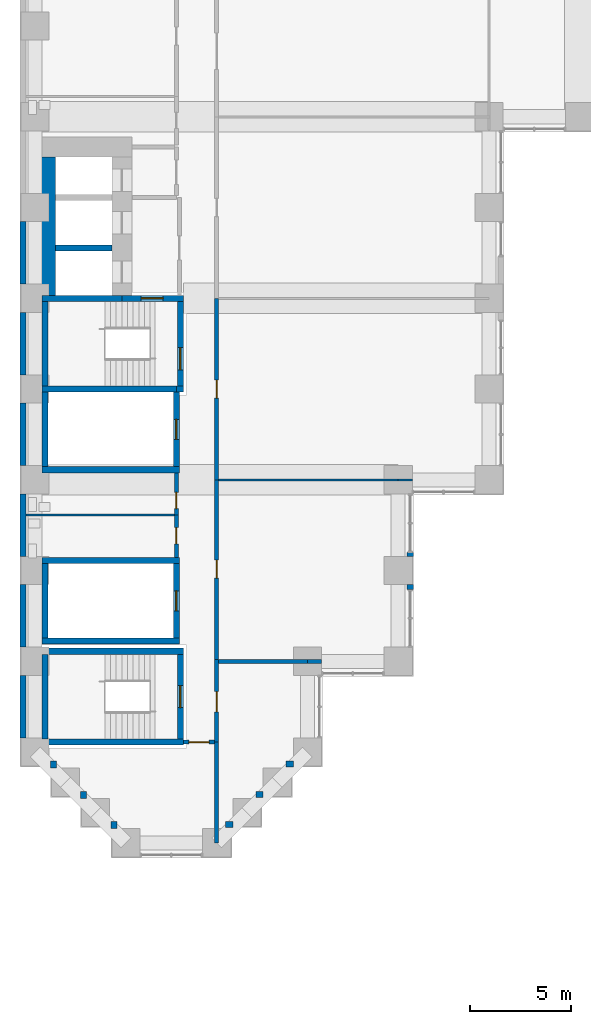
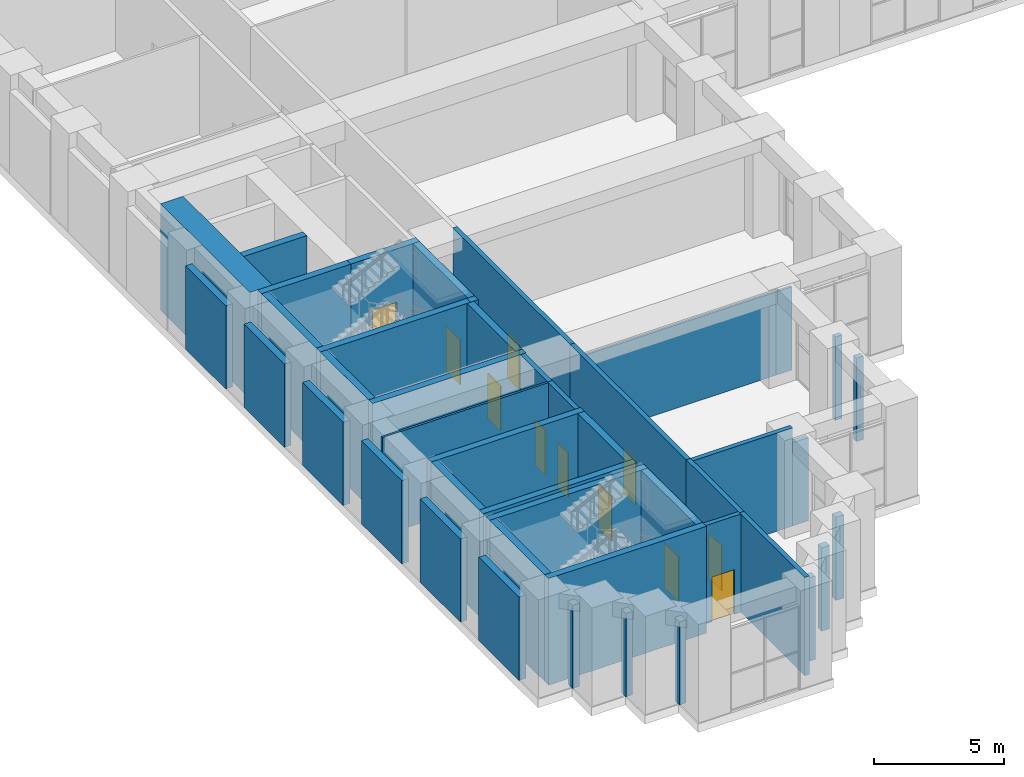
# One storey, part 18 of 34: 45 walls, 11 doors, 11 openings.
"""IFC4 building model written with IfcOpenShell, lengths in metres."""

from ifc_helpers import new_model, si_unit, direction, frame, frame_2d, origin, place, context, subcontext, project, spatial, rectangle, extrude, material, layer, layer_set, type_object, element, fill, save


model = new_model("IFC4")

# Units and contexts
model_context = context("Model", 3, precision=1e-05, world=origin(), true_north=direction((0.0, 1.0)))
body_context = subcontext(model_context, "Body", "Model", "MODEL_VIEW")
ifc_project = project(units=[si_unit("LENGTHUNIT", "METRE"), si_unit("AREAUNIT", "SQUARE_METRE"), si_unit("VOLUMEUNIT", "CUBIC_METRE"), si_unit("PLANEANGLEUNIT", "RADIAN"), si_unit("MASSUNIT", "GRAM", prefix="KILO")], contexts=[model_context])

# Site, building, storey
site_placement = place(None, origin())
site = spatial("IfcSite", under=ifc_project, at=site_placement, CompositionType="ELEMENT")
building_placement = place(site_placement, origin())
building = spatial("IfcBuilding", under=site, at=building_placement, Name="Firuza Court", CompositionType="ELEMENT")
storey_placement = place(building_placement, frame((0.0, 0.0, 14.0)))
storey = spatial("IfcBuildingStorey", under=building, at=storey_placement, Name="L02", CompositionType="ELEMENT", Elevation=14.0)

# Walls
ifc_material_1 = material(Name="Moisture-resistant gypsum board partition")
ifc_layer_1 = layer(ifc_material_1, 0.10009765625)
ifc_layer_set_1 = layer_set([ifc_layer_1], Name="Moisture-resistant gypsum board partition")
wall_type_1 = type_object("IfcWallType", Name="Bathroom partition 100", PredefinedType="PLUMBINGWALL", material=ifc_layer_set_1)
wall_1_placement = place(storey_placement, frame((-0.449951171875, 16.25, 0.0), z_axis=(0.0, 0.0, 1.0), x_axis=(1.0, 0.0, 0.0)))
element("IfcWall", 1, at=wall_1_placement, inside=storey, type_object=wall_type_1, Name="Bathroom partition 100 L02", PredefinedType="PLUMBINGWALL", context=body_context, shape_type="SweptSolid", body=[
    extrude(rectangle(XDim=7.349853515625, YDim=0.10009765625, at=frame_2d((3.6748046875, 0.0))), origin(), (0.0, 0.0, 1.0), 4.60009765625),
])
ifc_material_2 = material(Name="Concrete C60/75", Category="concrete")
ifc_layer_2 = layer(ifc_material_2, 1.0)
ifc_layer_set_2 = layer_set([ifc_layer_2], Name="Concrete C60/75")
wall_type_2 = type_object("IfcWallType", Name="Core wall 1000 C60/75", PredefinedType="SHEAR", material=ifc_layer_set_2)
wall_2_placement = place(storey_placement, frame((0.5, 27.14990234375, -0.39990234375), z_axis=(0.0, 0.0, 1.0), x_axis=(0.0, 1.0, 0.0)))
element("IfcWall", 2, at=wall_2_placement, inside=storey, type_object=wall_type_2, Name="Core wall lift shaft L02", PredefinedType="SHEAR", context=body_context, shape_type="SweptSolid", body=[
    extrude(rectangle(XDim=6.85009765625, YDim=1.0, at=frame_2d((3.425048828125, 0.0))), origin(), (0.0, 0.0, 1.0), 5.0),
])
ifc_layer_3 = layer(ifc_material_2, 0.300048828125)
ifc_layer_set_3 = layer_set([ifc_layer_3], Name="Concrete C60/75")
wall_type_3 = type_object("IfcWallType", Name="Core wall 300 C60/75", PredefinedType="SHEAR", material=ifc_layer_set_3)
for number, where, z_axis, x_axis, name in (
    (3, (0.35009765625, 5.0, -0.39990234375), (0.0, 0.0, 1.0), (1.0, 0.0, 0.0), "Core wall stair L02"),
    (4, (0.35009765625, 9.5, -0.39990234375), (0.0, 0.0, 1.0), (1.0, 0.0, 0.0), "Core wall stair L02"),
):
    element("IfcWall", number, at=place(storey_placement, frame(where, z_axis=z_axis, x_axis=x_axis)), inside=storey, type_object=wall_type_3, Name=name, PredefinedType="SHEAR", context=body_context, shape_type="SweptSolid", body=[
        extrude(rectangle(XDim=7.0, YDim=0.300048828125, at=frame_2d((3.5, 0.0))), origin(), (0.0, 0.0, 1.0), 5.0),
    ])
for number, where, z_axis, x_axis, name in (
    (5, (0.35009765625, 10.0, -0.39990234375), (0.0, 0.0, 1.0), (1.0, 0.0, 0.0), "Core wall riser L02"),
    (6, (0.35009765625, 14.0, -0.39990234375), (0.0, 0.0, 1.0), (1.0, 0.0, 0.0), "Core wall riser L02"),
    (7, (0.35009765625, 18.5, -0.39990234375), (0.0, 0.0, 1.0), (1.0, 0.0, 0.0), "Core wall riser L02"),
):
    element("IfcWall", number, at=place(storey_placement, frame(where, z_axis=z_axis, x_axis=x_axis)), inside=storey, type_object=wall_type_3, Name=name, PredefinedType="SHEAR", context=body_context, shape_type="SweptSolid", body=[
        extrude(rectangle(XDim=6.7998046875, YDim=0.300048828125, at=frame_2d((3.39990234375, 0.0))), origin(), (0.0, 0.0, 1.0), 5.0),
    ])
wall_3_placement = place(storey_placement, frame((0.35009765625, 22.5, -0.39990234375), z_axis=(0.0, 0.0, 1.0), x_axis=(1.0, 0.0, 0.0)))
element("IfcWall", 8, at=wall_3_placement, inside=storey, type_object=wall_type_3, Name="Core wall riser L02", PredefinedType="SHEAR", context=body_context, shape_type="SweptSolid", body=[
    extrude(rectangle(XDim=6.64990234375, YDim=0.300048828125, at=frame_2d((3.324951171875, 0.0))), origin(), (0.0, 0.0, 1.0), 5.0),
])
wall_4_placement = place(storey_placement, frame((0.35009765625, 27.0, -0.39990234375), z_axis=(0.0, 0.0, 1.0), x_axis=(1.0, 0.0, 0.0)))
element("IfcWall", 9, at=wall_4_placement, inside=storey, type_object=wall_type_3, Name="Core wall lift shaft L02", PredefinedType="SHEAR", context=body_context, shape_type="SweptSolid", body=[
    extrude(rectangle(XDim=3.949951171875, YDim=0.300048828125, at=frame_2d((1.97509765625, 0.0))), origin(), (0.0, 0.0, 1.0), 5.0),
])
wall_5_placement = place(storey_placement, frame((0.5, 5.14990234375, -0.39990234375), z_axis=(0.0, 0.0, 1.0), x_axis=(0.0, 1.0, 0.0)))
element("IfcWall", 10, at=wall_5_placement, inside=storey, type_object=wall_type_3, Name="Core wall stair L02", PredefinedType="SHEAR", context=body_context, shape_type="SweptSolid", body=[
    extrude(rectangle(XDim=4.2001953125, YDim=0.300048828125, at=frame_2d((2.10009765625, 0.0))), origin(), (0.0, 0.0, 1.0), 5.0),
])
for number, where, z_axis, x_axis, name in (
    (11, (0.5, 10.14990234375, -0.39990234375), (0.0, 0.0, 1.0), (0.0, 1.0, 0.0), "Core wall riser L02"),
    (12, (0.5, 18.64990234375, -0.39990234375), (0.0, 0.0, 1.0), (0.0, 1.0, 0.0), "Core wall riser L02"),
):
    element("IfcWall", number, at=place(storey_placement, frame(where, z_axis=z_axis, x_axis=x_axis)), inside=storey, type_object=wall_type_3, Name=name, PredefinedType="SHEAR", context=body_context, shape_type="SweptSolid", body=[
        extrude(rectangle(XDim=3.7001953125, YDim=0.300048828125, at=frame_2d((1.85009765625, 0.0))), origin(), (0.0, 0.0, 1.0), 5.0),
    ])
wall_6_placement = place(storey_placement, frame((0.5, 22.64990234375, -0.39990234375), z_axis=(0.0, 0.0, 1.0), x_axis=(0.0, 1.0, 0.0)))
element("IfcWall", 13, at=wall_6_placement, inside=storey, type_object=wall_type_3, Name="Core wall stair L02", PredefinedType="SHEAR", context=body_context, shape_type="SweptSolid", body=[
    extrude(rectangle(XDim=4.2001953125, YDim=0.300048828125, at=frame_2d((2.10009765625, 0.0))), origin(), (0.0, 0.0, 1.0), 5.0),
])
wall_7_placement = place(storey_placement, frame((1.0, 29.5, -0.39990234375), z_axis=(0.0, 0.0, 1.0), x_axis=(1.0, 0.0, 0.0)))
element("IfcWall", 14, at=wall_7_placement, inside=storey, type_object=wall_type_3, Name="Core wall lift shaft L02", PredefinedType="SHEAR", context=body_context, shape_type="SweptSolid", body=[
    extrude(rectangle(XDim=2.800048828125, YDim=0.300048828125, at=frame_2d((1.39990234375, 0.0))), origin(), (0.0, 0.0, 1.0), 5.0),
])

# Wall, opening, door
wall_8_placement = place(storey_placement, frame((4.300048828125, 27.0, -0.39990234375), z_axis=(0.0, 0.0, 1.0), x_axis=(1.0, 0.0, 0.0)))
wall_8 = element("IfcWall", 15, at=wall_8_placement, inside=storey, type_object=wall_type_3, Name="Core wall stair L02", PredefinedType="SHEAR", context=body_context, shape_type="SweptSolid", body=[
    extrude(rectangle(XDim=3.050048828125, YDim=0.300048828125, at=frame_2d((1.52490234375, 0.0))), origin(), (0.0, 0.0, 1.0), 5.0),
])
opening_1_placement = place(wall_8_placement, frame((0.949951171875, 0.0, 0.39990234375)))
opening_1 = element("IfcOpeningElement", 16, at=opening_1_placement, cuts=wall_8, Name="Opening D02014", PredefinedType="OPENING", context=body_context, shape_type="SweptSolid", body=[
    extrude(rectangle(XDim=1.10009765625, YDim=2.10009765625, at=frame_2d((0.550048828125, 1.050048828125))), frame((0.0, 0.162109375, 0.0), z_axis=(0.0, -1.0, 0.0), x_axis=(1.0, 0.0, 0.0)), (0.0, 0.0, 1.0), 0.323974609375),
])
ifc_material_3 = material(Name="Timber door leaf in hardwood frame", Category="wood")
door_type_1 = type_object("IfcDoorType", Name="Stair door 1100", OperationType="SINGLE_SWING_LEFT", PredefinedType="DOOR", material=ifc_material_3)
door_1_placement = place(opening_1_placement, frame((1.10009765625, 0.0, 0.0), z_axis=(0.0, 0.0, 1.0), x_axis=(-1.0, 0.0, 0.0)))
door_1 = element("IfcDoor", 17, at=door_1_placement, inside=storey, type_object=door_type_1, Name="Fire-fighting lobby door", OperationType="SINGLE_SWING_LEFT", OverallHeight=2.10009765625, OverallWidth=1.10009765625, PredefinedType="DOOR", context=body_context, shape_type="SweptSolid", body=[
    extrude(rectangle(XDim=1.10009765625, YDim=2.10009765625, at=frame_2d((0.550048828125, 1.050048828125))), frame((0.0, 0.02490234375, 0.0), z_axis=(0.0, -1.0, 0.0), x_axis=(1.0, 0.0, 0.0)), (0.0, 0.0, 1.0), 0.050048828125),
])
fill(opening_1, door_1)

wall_9_placement = place(storey_placement, frame((7.0, 10.14990234375, -0.39990234375), z_axis=(0.0, 0.0, 1.0), x_axis=(0.0, 1.0, 0.0)))
wall_9 = element("IfcWall", 18, at=wall_9_placement, inside=storey, type_object=wall_type_3, Name="Core wall riser L02", PredefinedType="SHEAR", context=body_context, shape_type="SweptSolid", body=[
    extrude(rectangle(XDim=3.7001953125, YDim=0.300048828125, at=frame_2d((1.85009765625, 0.0))), origin(), (0.0, 0.0, 1.0), 5.0),
])
opening_2_placement = place(wall_9_placement, frame((1.35009765625, 0.0, 0.39990234375)))
opening_2 = element("IfcOpeningElement", 19, at=opening_2_placement, cuts=wall_9, Name="Opening D02012", PredefinedType="OPENING", context=body_context, shape_type="SweptSolid", body=[
    extrude(rectangle(XDim=1.0, YDim=2.10009765625, at=frame_2d((0.5, 1.050048828125))), frame((0.0, 0.162109375, 0.0), z_axis=(0.0, -1.0, 0.0), x_axis=(1.0, 0.0, 0.0)), (0.0, 0.0, 1.0), 0.323974609375),
])
ifc_material_4 = material(Name="Timber door leaf in hardwood frame", Category="wood")
door_type_2 = type_object("IfcDoorType", Name="Riser door 1000", OperationType="SINGLE_SWING_LEFT", PredefinedType="DOOR", material=ifc_material_4)
door_2_placement = place(opening_2_placement, origin())
door_2 = element("IfcDoor", 20, at=door_2_placement, inside=storey, type_object=door_type_2, Name="Riser door R4", OperationType="SINGLE_SWING_LEFT", OverallHeight=2.10009765625, OverallWidth=1.0, PredefinedType="DOOR", context=body_context, shape_type="SweptSolid", body=[
    extrude(rectangle(XDim=1.0, YDim=2.10009765625, at=frame_2d((0.5, 1.050048828125))), frame((0.0, 0.02490234375, 0.0), z_axis=(0.0, -1.0, 0.0), x_axis=(1.0, 0.0, 0.0)), (0.0, 0.0, 1.0), 0.050048828125),
])
fill(opening_2, door_2)

wall_10_placement = place(storey_placement, frame((7.0, 18.64990234375, -0.39990234375), z_axis=(0.0, 0.0, 1.0), x_axis=(0.0, 1.0, 0.0)))
wall_10 = element("IfcWall", 21, at=wall_10_placement, inside=storey, type_object=wall_type_3, Name="Core wall riser L02", PredefinedType="SHEAR", context=body_context, shape_type="SweptSolid", body=[
    extrude(rectangle(XDim=3.7001953125, YDim=0.300048828125, at=frame_2d((1.85009765625, 0.0))), origin(), (0.0, 0.0, 1.0), 5.0),
])
opening_3_placement = place(wall_10_placement, frame((1.35009765625, 0.0, 0.39990234375)))
opening_3 = element("IfcOpeningElement", 22, at=opening_3_placement, cuts=wall_10, Name="Opening D02010", PredefinedType="OPENING", context=body_context, shape_type="SweptSolid", body=[
    extrude(rectangle(XDim=1.0, YDim=2.10009765625, at=frame_2d((0.5, 1.050048828125))), frame((0.0, 0.162109375, 0.0), z_axis=(0.0, -1.0, 0.0), x_axis=(1.0, 0.0, 0.0)), (0.0, 0.0, 1.0), 0.323974609375),
])
door_3_placement = place(opening_3_placement, origin())
door_3 = element("IfcDoor", 23, at=door_3_placement, inside=storey, type_object=door_type_2, Name="Riser door R1", OperationType="SINGLE_SWING_LEFT", OverallHeight=2.10009765625, OverallWidth=1.0, PredefinedType="DOOR", context=body_context, shape_type="SweptSolid", body=[
    extrude(rectangle(XDim=1.0, YDim=2.10009765625, at=frame_2d((0.5, 1.050048828125))), frame((0.0, 0.02490234375, 0.0), z_axis=(0.0, -1.0, 0.0), x_axis=(1.0, 0.0, 0.0)), (0.0, 0.0, 1.0), 0.050048828125),
])
fill(opening_3, door_3)

# Wall
wall_11_placement = place(storey_placement, frame((7.0, 22.5, -0.39990234375), z_axis=(0.0, 0.0, 1.0), x_axis=(1.0, 0.0, 0.0)))
element("IfcWall", 24, at=wall_11_placement, inside=storey, type_object=wall_type_3, Name="Core wall stair L02", PredefinedType="SHEAR", context=body_context, shape_type="SweptSolid", body=[
    extrude(rectangle(XDim=0.35009765625, YDim=0.300048828125, at=frame_2d((0.175048828125, 0.0))), origin(), (0.0, 0.0, 1.0), 5.0),
])

# Wall, opening, door
wall_12_placement = place(storey_placement, frame((7.199951171875, 5.14990234375, -0.39990234375), z_axis=(0.0, 0.0, 1.0), x_axis=(0.0, 1.0, 0.0)))
wall_12 = element("IfcWall", 25, at=wall_12_placement, inside=storey, type_object=wall_type_3, Name="Core wall stair L02", PredefinedType="SHEAR", context=body_context, shape_type="SweptSolid", body=[
    extrude(rectangle(XDim=4.2001953125, YDim=0.300048828125, at=frame_2d((2.10009765625, 0.0))), origin(), (0.0, 0.0, 1.0), 5.0),
])
opening_4_placement = place(wall_12_placement, frame((1.550048828125, 0.0, 0.39990234375)))
opening_4 = element("IfcOpeningElement", 26, at=opening_4_placement, cuts=wall_12, Name="Opening D02018", PredefinedType="OPENING", context=body_context, shape_type="SweptSolid", body=[
    extrude(rectangle(XDim=1.10009765625, YDim=2.10009765625, at=frame_2d((0.550048828125, 1.050048828125))), frame((0.0, 0.162109375, 0.0), z_axis=(0.0, -1.0, 0.0), x_axis=(1.0, 0.0, 0.0)), (0.0, 0.0, 1.0), 0.323974609375),
])
door_4_placement = place(opening_4_placement, origin())
door_4 = element("IfcDoor", 27, at=door_4_placement, inside=storey, type_object=door_type_1, Name="Stair door S5", OperationType="SINGLE_SWING_LEFT", OverallHeight=2.10009765625, OverallWidth=1.10009765625, PredefinedType="DOOR", context=body_context, shape_type="SweptSolid", body=[
    extrude(rectangle(XDim=1.10009765625, YDim=2.10009765625, at=frame_2d((0.550048828125, 1.050048828125))), frame((0.0, 0.02490234375, 0.0), z_axis=(0.0, -1.0, 0.0), x_axis=(1.0, 0.0, 0.0)), (0.0, 0.0, 1.0), 0.050048828125),
])
fill(opening_4, door_4)

wall_13_placement = place(storey_placement, frame((7.199951171875, 22.64990234375, -0.39990234375), z_axis=(0.0, 0.0, 1.0), x_axis=(0.0, 1.0, 0.0)))
wall_13 = element("IfcWall", 28, at=wall_13_placement, inside=storey, type_object=wall_type_3, Name="Core wall stair L02", PredefinedType="SHEAR", context=body_context, shape_type="SweptSolid", body=[
    extrude(rectangle(XDim=4.2001953125, YDim=0.300048828125, at=frame_2d((2.10009765625, 0.0))), origin(), (0.0, 0.0, 1.0), 5.0),
])
opening_5_placement = place(wall_13_placement, frame((0.800048828125, 0.0, 0.39990234375)))
opening_5 = element("IfcOpeningElement", 29, at=opening_5_placement, cuts=wall_13, Name="Opening D02015", PredefinedType="OPENING", context=body_context, shape_type="SweptSolid", body=[
    extrude(rectangle(XDim=1.10009765625, YDim=2.10009765625, at=frame_2d((0.550048828125, 1.050048828125))), frame((0.0, 0.162109375, 0.0), z_axis=(0.0, -1.0, 0.0), x_axis=(1.0, 0.0, 0.0)), (0.0, 0.0, 1.0), 0.323974609375),
])
door_5_placement = place(opening_5_placement, origin())
door_5 = element("IfcDoor", 30, at=door_5_placement, inside=storey, type_object=door_type_1, Name="Stair door S2", OperationType="SINGLE_SWING_LEFT", OverallHeight=2.10009765625, OverallWidth=1.10009765625, PredefinedType="DOOR", context=body_context, shape_type="SweptSolid", body=[
    extrude(rectangle(XDim=1.10009765625, YDim=2.10009765625, at=frame_2d((0.550048828125, 1.050048828125))), frame((0.0, 0.02490234375, 0.0), z_axis=(0.0, -1.0, 0.0), x_axis=(1.0, 0.0, 0.0)), (0.0, 0.0, 1.0), 0.050048828125),
])
fill(opening_5, door_5)

ifc_material_5 = material(Name="Blockwork, plastered both sides", Category="masonry")
ifc_layer_4 = layer(ifc_material_5, 0.199951171875)
ifc_layer_set_4 = layer_set([ifc_layer_4], Name="Blockwork, plastered both sides")
wall_type_4 = type_object("IfcWallType", Name="Corridor wall 200", PredefinedType="PARTITIONING", material=ifc_layer_set_4)
wall_14_placement = place(storey_placement, frame((9.0, 9.10009765625, 0.0), z_axis=(0.0, 0.0, 1.0), x_axis=(0.0, 1.0, 0.0)))
wall_14 = element("IfcWall", 31, at=wall_14_placement, inside=storey, type_object=wall_type_4, Name="Corridor wall 200 L02", PredefinedType="PARTITIONING", context=body_context, shape_type="SweptSolid", body=[
    extrude(rectangle(XDim=8.89990234375, YDim=0.199951171875, at=frame_2d((4.449951171875, 0.0))), origin(), (0.0, 0.0, 1.0), 4.60009765625),
])
opening_6_placement = place(wall_14_placement, frame((4.02490234375, 0.0, 0.0)))
opening_6 = element("IfcOpeningElement", 32, at=opening_6_placement, cuts=wall_14, Name="Opening D02021", PredefinedType="OPENING", context=body_context, shape_type="SweptSolid", body=[
    extrude(rectangle(XDim=0.89990234375, YDim=2.10009765625, at=frame_2d((0.449951171875, 1.050048828125))), frame((0.0, 0.11181640625, 0.0), z_axis=(0.0, -1.0, 0.0), x_axis=(1.0, 0.0, 0.0)), (0.0, 0.0, 1.0), 0.223876953125),
])
ifc_material_6 = material(Name="Timber door leaf in hardwood frame", Category="wood")
door_type_3 = type_object("IfcDoorType", Name="Room door 900 EI 30", OperationType="SINGLE_SWING_LEFT", PredefinedType="DOOR", material=ifc_material_6)
door_6_placement = place(opening_6_placement, origin())
door_6 = element("IfcDoor", 33, at=door_6_placement, inside=storey, type_object=door_type_3, Name="Room door", OperationType="SINGLE_SWING_LEFT", OverallHeight=2.10009765625, OverallWidth=0.89990234375, PredefinedType="DOOR", context=body_context, shape_type="SweptSolid", body=[
    extrude(rectangle(XDim=0.89990234375, YDim=2.10009765625, at=frame_2d((0.449951171875, 1.050048828125))), frame((0.0, 0.02490234375, 0.0), z_axis=(0.0, -1.0, 0.0), x_axis=(1.0, 0.0, 0.0)), (0.0, 0.0, 1.0), 0.050048828125),
])
fill(opening_6, door_6)

wall_15_placement = place(storey_placement, frame((7.0, 16.25, 0.0), z_axis=(0.0, 0.0, 1.0), x_axis=(0.0, -1.0, 0.0)))
wall_15 = element("IfcWall", 34, at=wall_15_placement, inside=storey, type_object=wall_type_4, Name="Corridor wall 200 L02", PredefinedType="PARTITIONING", context=body_context, shape_type="SweptSolid", body=[
    extrude(rectangle(XDim=2.10009765625, YDim=0.199951171875, at=frame_2d((1.050048828125, 0.0))), origin(), (0.0, 0.0, 1.0), 4.60009765625),
])
opening_7_placement = place(wall_15_placement, frame((0.625, 0.0, 0.0)))
opening_7 = element("IfcOpeningElement", 35, at=opening_7_placement, cuts=wall_15, Name="Opening D02022", PredefinedType="OPENING", context=body_context, shape_type="SweptSolid", body=[
    extrude(rectangle(XDim=0.800048828125, YDim=2.10009765625, at=frame_2d((0.39990234375, 1.050048828125))), frame((0.0, 0.11181640625, 0.0), z_axis=(0.0, -1.0, 0.0), x_axis=(1.0, 0.0, 0.0)), (0.0, 0.0, 1.0), 0.223876953125),
])
ifc_material_7 = material(Name="Timber door leaf in hardwood frame", Category="wood")
door_type_4 = type_object("IfcDoorType", Name="Room door 800 EI 30", OperationType="SINGLE_SWING_LEFT", PredefinedType="DOOR", material=ifc_material_7)
door_7_placement = place(opening_7_placement, frame((0.800048828125, 0.0, 0.0), z_axis=(0.0, 0.0, 1.0), x_axis=(-1.0, 0.0, 0.0)))
door_7 = element("IfcDoor", 36, at=door_7_placement, inside=storey, type_object=door_type_4, Name="Room door", OperationType="SINGLE_SWING_RIGHT", OverallHeight=2.10009765625, OverallWidth=0.800048828125, PredefinedType="DOOR", context=body_context, shape_type="SweptSolid", body=[
    extrude(rectangle(XDim=0.800048828125, YDim=2.10009765625, at=frame_2d((0.39990234375, 1.050048828125))), frame((0.0, 0.02490234375, 0.0), z_axis=(0.0, -1.0, 0.0), x_axis=(1.0, 0.0, 0.0)), (0.0, 0.0, 1.0), 0.050048828125),
])
fill(opening_7, door_7)

wall_16_placement = place(storey_placement, frame((9.0, 18.0, 0.0), z_axis=(0.0, 0.0, 1.0), x_axis=(0.0, 1.0, 0.0)))
wall_16 = element("IfcWall", 37, at=wall_16_placement, inside=storey, type_object=wall_type_4, Name="Corridor wall 200 L02", PredefinedType="PARTITIONING", context=body_context, shape_type="SweptSolid", body=[
    extrude(rectangle(XDim=9.0, YDim=0.199951171875, at=frame_2d((4.5, 0.0))), origin(), (0.0, 0.0, 1.0), 4.60009765625),
])
opening_8_placement = place(wall_16_placement, frame((4.050048828125, 0.0, 0.0)))
opening_8 = element("IfcOpeningElement", 38, at=opening_8_placement, cuts=wall_16, Name="Opening D02023", PredefinedType="OPENING", context=body_context, shape_type="SweptSolid", body=[
    extrude(rectangle(XDim=0.89990234375, YDim=2.10009765625, at=frame_2d((0.449951171875, 1.050048828125))), frame((0.0, 0.11181640625, 0.0), z_axis=(0.0, -1.0, 0.0), x_axis=(1.0, 0.0, 0.0)), (0.0, 0.0, 1.0), 0.223876953125),
])
door_8_placement = place(opening_8_placement, frame((0.89990234375, 0.0, 0.0), z_axis=(0.0, 0.0, 1.0), x_axis=(-1.0, 0.0, 0.0)))
door_8 = element("IfcDoor", 39, at=door_8_placement, inside=storey, type_object=door_type_3, Name="Room door", OperationType="SINGLE_SWING_RIGHT", OverallHeight=2.10009765625, OverallWidth=0.89990234375, PredefinedType="DOOR", context=body_context, shape_type="SweptSolid", body=[
    extrude(rectangle(XDim=0.89990234375, YDim=2.10009765625, at=frame_2d((0.449951171875, 1.050048828125))), frame((0.0, 0.02490234375, 0.0), z_axis=(0.0, -1.0, 0.0), x_axis=(1.0, 0.0, 0.0)), (0.0, 0.0, 1.0), 0.050048828125),
])
fill(opening_8, door_8)

wall_17_placement = place(storey_placement, frame((7.0, 18.35009765625, 0.0), z_axis=(0.0, 0.0, 1.0), x_axis=(0.0, -1.0, 0.0)))
wall_17 = element("IfcWall", 40, at=wall_17_placement, inside=storey, type_object=wall_type_4, Name="Corridor wall 200 L02", PredefinedType="PARTITIONING", context=body_context, shape_type="SweptSolid", body=[
    extrude(rectangle(XDim=2.10009765625, YDim=0.199951171875, at=frame_2d((1.050048828125, 0.0))), origin(), (0.0, 0.0, 1.0), 4.60009765625),
])
opening_9_placement = place(wall_17_placement, frame((0.97509765625, 0.0, 0.0)))
opening_9 = element("IfcOpeningElement", 41, at=opening_9_placement, cuts=wall_17, Name="Opening D02024", PredefinedType="OPENING", context=body_context, shape_type="SweptSolid", body=[
    extrude(rectangle(XDim=0.800048828125, YDim=2.10009765625, at=frame_2d((0.39990234375, 1.050048828125))), frame((0.0, 0.11181640625, 0.0), z_axis=(0.0, -1.0, 0.0), x_axis=(1.0, 0.0, 0.0)), (0.0, 0.0, 1.0), 0.223876953125),
])
door_9_placement = place(opening_9_placement, frame((0.800048828125, 0.0, 0.0), z_axis=(0.0, 0.0, 1.0), x_axis=(-1.0, 0.0, 0.0)))
door_9 = element("IfcDoor", 42, at=door_9_placement, inside=storey, type_object=door_type_4, Name="Room door", OperationType="SINGLE_SWING_LEFT", OverallHeight=2.10009765625, OverallWidth=0.800048828125, PredefinedType="DOOR", context=body_context, shape_type="SweptSolid", body=[
    extrude(rectangle(XDim=0.800048828125, YDim=2.10009765625, at=frame_2d((0.39990234375, 1.050048828125))), frame((0.0, 0.02490234375, 0.0), z_axis=(0.0, -1.0, 0.0), x_axis=(1.0, 0.0, 0.0)), (0.0, 0.0, 1.0), 0.050048828125),
])
fill(opening_9, door_9)

# Walls
ifc_material_8 = material(Name="Timber stud partition, plasterboard both sides", Category="wood")
ifc_layer_5 = layer(ifc_material_8, 0.10009765625)
ifc_layer_set_5 = layer_set([ifc_layer_5], Name="Timber stud partition, plasterboard both sides")
wall_type_5 = type_object("IfcWallType", Name="Partition wall 100", PredefinedType="PARTITIONING", material=ifc_layer_set_5)
wall_18_placement = place(storey_placement, frame((18.0, 18.0, 0.0), z_axis=(0.0, 0.0, 1.0), x_axis=(-1.0, 0.0, 0.0)))
element("IfcWall", 43, at=wall_18_placement, inside=storey, type_object=wall_type_5, Name="Partition wall 100 L02", PredefinedType="PARTITIONING", context=body_context, shape_type="SweptSolid", body=[
    extrude(rectangle(XDim=8.89990234375, YDim=0.10009765625, at=frame_2d((4.449951171875, 0.0))), origin(), (0.0, 0.0, 1.0), 3.89990234375),
])
wall_19_placement = place(storey_placement, frame((18.699951171875, 18.0, 0.0), z_axis=(0.0, 0.0, 1.0), x_axis=(-1.0, 0.0, 0.0)))
element("IfcWall", 44, at=wall_19_placement, inside=storey, type_object=wall_type_5, Name="Partition wall 100 L02", PredefinedType="PARTITIONING", context=body_context, shape_type="SweptSolid", body=[
    extrude(rectangle(XDim=0.699951171875, YDim=0.10009765625, at=frame_2d((0.35009765625, 0.0))), origin(), (0.0, 0.0, 1.0), 3.89990234375),
])
ifc_material_9 = material(Name="Blockwork, fire-rated", Category="masonry")
ifc_layer_6 = layer(ifc_material_9, 0.199951171875)
ifc_layer_set_6 = layer_set([ifc_layer_6], Name="Blockwork, fire-rated")
wall_type_6 = type_object("IfcWallType", Name="Plant room wall 200", PredefinedType="PARTITIONING", material=ifc_layer_set_6)
wall_20_placement = place(storey_placement, frame((9.0, 0.0, 0.0), z_axis=(0.0, 0.0, 1.0), x_axis=(0.0, 1.0, 0.0)))
element("IfcWall", 45, at=wall_20_placement, inside=storey, type_object=wall_type_6, Name="Plant room wall 200 L02", PredefinedType="PARTITIONING", context=body_context, shape_type="SweptSolid", body=[
    extrude(rectangle(XDim=5.0, YDim=0.199951171875, at=frame_2d((2.5, 0.0))), origin(), (0.0, 0.0, 1.0), 4.60009765625),
])

# Wall, opening, door
wall_21_placement = place(storey_placement, frame((7.35009765625, 5.0, 0.0), z_axis=(0.0, 0.0, 1.0), x_axis=(1.0, 0.0, 0.0)))
wall_21 = element("IfcWall", 46, at=wall_21_placement, inside=storey, type_object=wall_type_6, Name="Plant room wall 200 L02", PredefinedType="PARTITIONING", context=body_context, shape_type="SweptSolid", body=[
    extrude(rectangle(XDim=1.5498046875, YDim=0.199951171875, at=frame_2d((0.77490234375, 0.0))), origin(), (0.0, 0.0, 1.0), 4.60009765625),
])
opening_10_placement = place(wall_21_placement, frame((0.27490234375, 0.0, 0.0)))
opening_10 = element("IfcOpeningElement", 47, at=opening_10_placement, cuts=wall_21, Name="Opening D02019", PredefinedType="OPENING", context=body_context, shape_type="SweptSolid", body=[
    extrude(rectangle(XDim=1.0, YDim=2.10009765625, at=frame_2d((0.5, 1.050048828125))), frame((0.0, 0.11181640625, 0.0), z_axis=(0.0, -1.0, 0.0), x_axis=(1.0, 0.0, 0.0)), (0.0, 0.0, 1.0), 0.223876953125),
])
ifc_material_10 = material(Name="Timber door leaf in hardwood frame", Category="wood")
door_type_5 = type_object("IfcDoorType", Name="Store door 1000", OperationType="SINGLE_SWING_LEFT", PredefinedType="DOOR", material=ifc_material_10)
door_10_placement = place(opening_10_placement, frame((1.0, 0.0, 0.0), z_axis=(0.0, 0.0, 1.0), x_axis=(-1.0, 0.0, 0.0)))
door_10 = element("IfcDoor", 48, at=door_10_placement, inside=storey, type_object=door_type_5, Name="Store door", OperationType="SINGLE_SWING_LEFT", OverallHeight=2.10009765625, OverallWidth=1.0, PredefinedType="DOOR", context=body_context, shape_type="SweptSolid", body=[
    extrude(rectangle(XDim=1.0, YDim=2.10009765625, at=frame_2d((0.5, 1.050048828125))), frame((0.0, 0.02490234375, 0.0), z_axis=(0.0, -1.0, 0.0), x_axis=(1.0, 0.0, 0.0)), (0.0, 0.0, 1.0), 0.050048828125),
])
fill(opening_10, door_10)

wall_22_placement = place(storey_placement, frame((9.0, 5.0, 0.0), z_axis=(0.0, 0.0, 1.0), x_axis=(0.0, 1.0, 0.0)))
wall_22 = element("IfcWall", 49, at=wall_22_placement, inside=storey, type_object=wall_type_6, Name="Plant room wall 200 L02", PredefinedType="PARTITIONING", context=body_context, shape_type="SweptSolid", body=[
    extrude(rectangle(XDim=4.10009765625, YDim=0.199951171875, at=frame_2d((2.050048828125, 0.0))), origin(), (0.0, 0.0, 1.0), 4.60009765625),
])
opening_11_placement = place(wall_22_placement, frame((1.5, 0.0, 0.0)))
opening_11 = element("IfcOpeningElement", 50, at=opening_11_placement, cuts=wall_22, Name="Opening D02020", PredefinedType="OPENING", context=body_context, shape_type="SweptSolid", body=[
    extrude(rectangle(XDim=1.0, YDim=2.10009765625, at=frame_2d((0.5, 1.050048828125))), frame((0.0, 0.11181640625, 0.0), z_axis=(0.0, -1.0, 0.0), x_axis=(1.0, 0.0, 0.0)), (0.0, 0.0, 1.0), 0.223876953125),
])
door_11_placement = place(opening_11_placement, frame((1.0, 0.0, 0.0), z_axis=(0.0, 0.0, 1.0), x_axis=(-1.0, 0.0, 0.0)))
door_11 = element("IfcDoor", 51, at=door_11_placement, inside=storey, type_object=door_type_5, Name="Store door", OperationType="SINGLE_SWING_LEFT", OverallHeight=2.10009765625, OverallWidth=1.0, PredefinedType="DOOR", context=body_context, shape_type="SweptSolid", body=[
    extrude(rectangle(XDim=1.0, YDim=2.10009765625, at=frame_2d((0.5, 1.050048828125))), frame((0.0, 0.02490234375, 0.0), z_axis=(0.0, -1.0, 0.0), x_axis=(1.0, 0.0, 0.0)), (0.0, 0.0, 1.0), 0.050048828125),
])
fill(opening_11, door_11)

# Walls
wall_23_placement = place(storey_placement, frame((13.5, 9.0, 0.0), z_axis=(0.0, 0.0, 1.0), x_axis=(-1.0, 0.0, 0.0)))
element("IfcWall", 52, at=wall_23_placement, inside=storey, type_object=wall_type_6, Name="Plant room wall 200 L02", PredefinedType="PARTITIONING", context=body_context, shape_type="SweptSolid", body=[
    extrude(rectangle(XDim=4.39990234375, YDim=0.199951171875, at=frame_2d((2.199951171875, 0.0))), origin(), (0.0, 0.0, 1.0), 4.60009765625),
])
wall_24_placement = place(storey_placement, frame((14.199951171875, 9.0, 0.0), z_axis=(0.0, 0.0, 1.0), x_axis=(-1.0, 0.0, 0.0)))
element("IfcWall", 53, at=wall_24_placement, inside=storey, type_object=wall_type_6, Name="Plant room wall 200 L02", PredefinedType="PARTITIONING", context=body_context, shape_type="SweptSolid", body=[
    extrude(rectangle(XDim=0.699951171875, YDim=0.199951171875, at=frame_2d((0.35009765625, 0.0))), origin(), (0.0, 0.0, 1.0), 3.89990234375),
])
ifc_material_11 = material(Name="Ceramic tile", Category="ceramic")
ifc_layer_7 = layer(ifc_material_11, 0.02001953125)
ifc_material_12 = material(Name="Mineral wool insulation", Category="insulation")
ifc_layer_8 = layer(ifc_material_12, 0.1298828125)
ifc_material_13 = material(Name="Concrete C40/50 precast", Category="concrete")
ifc_layer_9 = layer(ifc_material_13, 0.14990234375)
ifc_layer_set_7 = layer_set([ifc_layer_7, ifc_layer_8, ifc_layer_9], Name="Concrete C40/50 precast")
wall_type_7 = type_object("IfcWallType", Name="Precast spandrel wall with turquoise TILE PANEL face 300", PredefinedType="STANDARD", material=ifc_layer_set_7)
for number, where, z_axis, x_axis, name in (
    (54, (9.449951171875, 0.89990234375, 0.0), (0.0, 0.0, 1.0), (1.0, 0.0, 0.0), "Facade wall L02 S"),
    (55, (10.949951171875, 2.39990234375, 0.0), (0.0, 0.0, 1.0), (1.0, 0.0, 0.0), "Facade wall L02 S"),
    (56, (12.449951171875, 3.89990234375, 0.0), (0.0, 0.0, 1.0), (1.0, 0.0, 0.0), "Facade wall L02 S"),
):
    element("IfcWall", number, at=place(storey_placement, frame(where, z_axis=z_axis, x_axis=x_axis)), inside=storey, type_object=wall_type_7, Name=name, PredefinedType="STANDARD", context=body_context, shape_type="SweptSolid", body=[
        extrude(rectangle(XDim=0.35009765625, YDim=0.300048828125, at=frame_2d((0.175048828125, 0.0))), origin(), (0.0, 0.0, 1.0), 3.89990234375),
    ])
wall_25_placement = place(storey_placement, frame((18.60009765625, 12.55908203125, 0.0), z_axis=(0.0, 0.0, 1.0), x_axis=(0.0, 1.0, 0.0)))
element("IfcWall", 57, at=wall_25_placement, inside=storey, type_object=wall_type_7, Name="Facade wall L02 E", PredefinedType="STANDARD", context=body_context, shape_type="SweptSolid", body=[
    extrude(rectangle(XDim=0.240966796875, YDim=0.300048828125, at=frame_2d((0.12060546875, 0.0))), origin(), (0.0, 0.0, 1.0), 3.89990234375),
])
wall_26_placement = place(storey_placement, frame((18.60009765625, 14.199951171875, 0.0), z_axis=(0.0, 0.0, 1.0), x_axis=(0.0, 1.0, 0.0)))
element("IfcWall", 58, at=wall_26_placement, inside=storey, type_object=wall_type_7, Name="Facade wall L02 E", PredefinedType="STANDARD", context=body_context, shape_type="SweptSolid", body=[
    extrude(rectangle(XDim=0.19384765625, YDim=0.300048828125, at=frame_2d((0.096923828125, 0.0))), origin(), (0.0, 0.0, 1.0), 3.89990234375),
])
for number, where, z_axis, x_axis, name in (
    (59, (-0.60009765625, 30.800048828125, 0.0), (0.0, 0.0, 1.0), (0.0, -1.0, 0.0), "Facade wall L02 W"),
    (60, (-0.60009765625, 26.300048828125, 0.0), (0.0, 0.0, 1.0), (0.0, -1.0, 0.0), "Facade wall L02 W"),
    (61, (-0.60009765625, 21.800048828125, 0.0), (0.0, 0.0, 1.0), (0.0, -1.0, 0.0), "Facade wall L02 W"),
    (62, (-0.60009765625, 17.300048828125, 0.0), (0.0, 0.0, 1.0), (0.0, -1.0, 0.0), "Facade wall L02 W"),
    (63, (-0.60009765625, 12.800048828125, 0.0), (0.0, 0.0, 1.0), (0.0, -1.0, 0.0), "Facade wall L02 W"),
    (64, (-0.60009765625, 8.300048828125, 0.0), (0.0, 0.0, 1.0), (0.0, -1.0, 0.0), "Facade wall L02 W"),
):
    element("IfcWall", number, at=place(storey_placement, frame(where, z_axis=z_axis, x_axis=x_axis)), inside=storey, type_object=wall_type_7, Name=name, PredefinedType="STANDARD", context=body_context, shape_type="SweptSolid", body=[
        extrude(rectangle(XDim=3.10009765625, YDim=0.300048828125, at=frame_2d((1.550048828125, 0.0))), origin(), (0.0, 0.0, 1.0), 3.89990234375),
    ])
for number, where, z_axis, x_axis, name in (
    (65, (0.89990234375, 4.050048828125, 0.0), (0.0, 0.0, 1.0), (0.0, -1.0, 0.0), "Facade wall L02 W"),
    (66, (2.39990234375, 2.550048828125, 0.0), (0.0, 0.0, 1.0), (0.0, -1.0, 0.0), "Facade wall L02 W"),
    (67, (3.89990234375, 1.050048828125, 0.0), (0.0, 0.0, 1.0), (0.0, -1.0, 0.0), "Facade wall L02 W"),
):
    element("IfcWall", number, at=place(storey_placement, frame(where, z_axis=z_axis, x_axis=x_axis)), inside=storey, type_object=wall_type_7, Name=name, PredefinedType="STANDARD", context=body_context, shape_type="SweptSolid", body=[
        extrude(rectangle(XDim=0.35009765625, YDim=0.300048828125, at=frame_2d((0.175048828125, 0.0))), origin(), (0.0, 0.0, 1.0), 3.89990234375),
    ])

save(model, "model.ifc")
